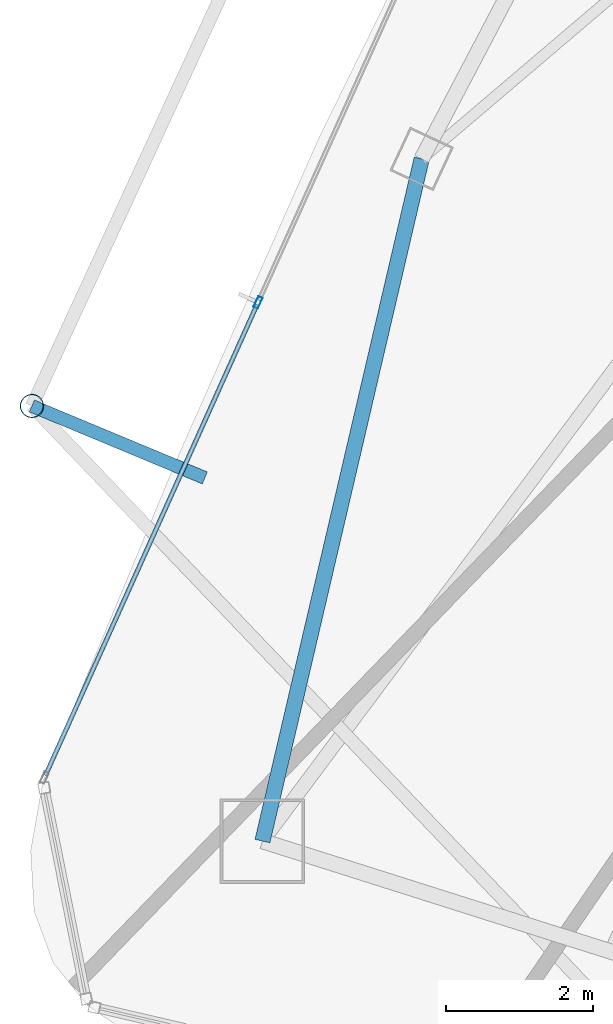
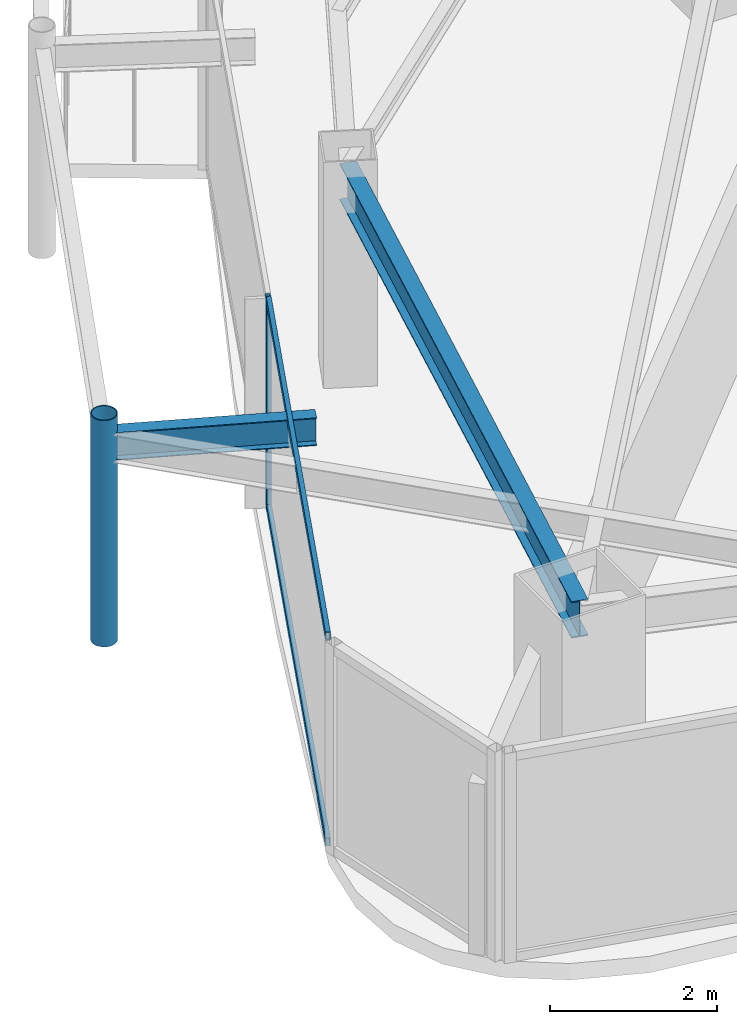
# One storey, part 5 of 28: 4 members, 2 beams, 1 element without a shape of its own.
"""IFC4 building model written with IfcOpenShell, lengths in metres."""

from ifc_helpers import new_model, si_unit, direction, frame, origin, origin_2d, place, context, subcontext, project, spatial, hollow_rectangle, hollow_circle, i_section, extrude, material, layer, layer_set, material_profile, profile_set, type_object, element, aggregate, save


model = new_model("IFC4")

# Units and contexts
model_context = context("Model", 3, precision=1e-05, world=origin(), true_north=direction((0.0, 1.0)))
body_context = subcontext(model_context, "Body", "Model", "MODEL_VIEW")
ifc_project = project(units=[si_unit("LENGTHUNIT", "METRE"), si_unit("AREAUNIT", "SQUARE_METRE"), si_unit("VOLUMEUNIT", "CUBIC_METRE"), si_unit("PLANEANGLEUNIT", "RADIAN"), si_unit("MASSUNIT", "GRAM", prefix="KILO")], contexts=[model_context])

# Site, building, storey
site_placement = place(None, origin())
site = spatial("IfcSite", under=ifc_project, at=site_placement, CompositionType="ELEMENT")
building_placement = place(site_placement, origin())
building = spatial("IfcBuilding", under=site, at=building_placement, Name="Orvanel Arch Residences", CompositionType="ELEMENT")
storey_placement = place(building_placement, frame((0.0, 0.0, 260.14990234375)))
storey = spatial("IfcBuildingStorey", under=building, at=storey_placement, Name="L74", CompositionType="ELEMENT", Elevation=260.14990234375)

# Curtain wall, member
ifc_material_1 = material(Name="Bronze-anodised aluminium AA6063-T6", Category="aluminium")
ifc_layer = layer(ifc_material_1, 0.175048828125)
ifc_layer_set = layer_set([ifc_layer], Name="Bronze-anodised aluminium AA6063-T6")
curtain_wall_type = type_object("IfcCurtainWallType", Name="CW4-HI-SYS", PredefinedType="NOTDEFINED", material=ifc_layer_set)
curtain_wall_placement = place(storey_placement, origin())
curtain_wall = element("IfcCurtainWall", 1, at=curtain_wall_placement, inside=storey, type_object=curtain_wall_type, Name="L74 CW4-HI-SYS Unitised Curtain Wall", PredefinedType="NOTDEFINED")
ifc_material_profile_1 = material_profile(ifc_material_1, hollow_rectangle(XDim=0.06494140625, YDim=0.159912109375, WallThickness=0.00390625, at=origin_2d()), Name="ALU160x65x4")
ifc_profile_set_1 = profile_set([ifc_material_profile_1], Name="Bronze-anodised aluminium AA6063-T6")
member_type_1 = type_object("IfcMemberType", Name="MUL-160x65", PredefinedType="MULLION", material=ifc_profile_set_1)
member_1_placement = place(storey_placement, frame((14.138916015625, 17.68701171875, 0.0), z_axis=(0.0, 0.0, 1.0), x_axis=(0.912050087349, -0.410078819456, 0.0)))
member_1 = element("IfcMember", 2, at=member_1_placement, type_object=member_type_1, Name="CW-S4 mullion 2", PredefinedType="MULLION", context=body_context, shape_type="SweptSolid", body=[
    extrude(hollow_rectangle(XDim=0.06494140625, YDim=0.159912109375, WallThickness=0.00390625, at=origin_2d()), origin(), (0.0, 0.0, 1.0), 3.06005859375),
])

# Beams
ifc_material_2 = material(Name="Structural steel AS/NZS 3679.1 Grade 300 (300 MPa)", Category="steel")
ifc_material_profile_2 = material_profile(ifc_material_2, i_section(OverallWidth=0.177978515625, OverallDepth=0.406005859375, WebThickness=0.0078125, FlangeThickness=0.0126953125, at=origin_2d()), Name="410UB59.7")
ifc_profile_set_2 = profile_set([ifc_material_profile_2], Name="Structural steel AS/NZS 3679.1 Grade 300 (300 MPa)")
beam_type_1 = type_object("IfcBeamType", Name="OB-410UB-EXT", PredefinedType="SPANDREL", material=ifc_profile_set_2)
beam_1_placement = place(storey_placement, frame((13.4140625, 15.297119140625, 2.857177734375), z_axis=(-0.923252396042, 0.384193978614, 0.0), x_axis=(-0.384193978614, -0.923252396042, 0.0)))
element("IfcBeam", 3, at=beam_1_placement, inside=storey, type_object=beam_type_1, Name="L74 Outer Frame Radial Tie Beam 04", PredefinedType="SPANDREL", context=body_context, shape_type="SweptSolid", body=[
    extrude(i_section(OverallWidth=0.177978515625, OverallDepth=0.406005859375, WebThickness=0.0078125, FlangeThickness=0.0126953125, at=origin_2d()), origin(), (0.0, 0.0, 1.0), 2.55078125),
])
ifc_material_profile_3 = material_profile(ifc_material_2, i_section(OverallWidth=0.208984375, OverallDepth=0.532958984375, WebThickness=0.01025390625, FlangeThickness=0.015625, at=origin_2d()), Name="530UB92.4")
ifc_profile_set_3 = profile_set([ifc_material_profile_3], Name="Structural steel AS/NZS 3679.1 Grade 300 (300 MPa)")
beam_type_2 = type_object("IfcBeamType", Name="SP-530UB", PredefinedType="SPANDREL", material=ifc_profile_set_3)
beam_2_placement = place(storey_placement, frame((16.366943359375, 19.64208984375, 2.793212890625), z_axis=(-0.227236087167, -0.973839699688, 0.0), x_axis=(0.973839699688, -0.227236087167, 0.0)))
element("IfcBeam", 4, at=beam_2_placement, inside=storey, type_object=beam_type_2, Name="L74 Perimeter Spandrel Beam 01", PredefinedType="SPANDREL", context=body_context, shape_type="SweptSolid", body=[
    extrude(i_section(OverallWidth=0.208984375, OverallDepth=0.532958984375, WebThickness=0.01025390625, FlangeThickness=0.015625, at=origin_2d()), origin(), (0.0, 0.0, 1.0), 9.54052734375),
])

# Member
ifc_material_3 = material(Name="Structural steel AS/NZS 1163 C350L0 (Grade 350)", Category="steel")
ifc_material_profile_4 = material_profile(ifc_material_3, hollow_circle(Radius=0.162109375, WallThickness=0.0126953125, at=origin_2d()), Name="CHS324x12.7")
ifc_profile_set_4 = profile_set([ifc_material_profile_4], Name="Structural steel AS/NZS 1163 C350L0 (Grade 350)")
member_type_2 = type_object("IfcMemberType", Name="ST-324CHS-EXT", PredefinedType="STRUT", material=ifc_profile_set_4)
member_2_placement = place(storey_placement, frame((11.05908203125, 16.277099609375, 0.0), z_axis=(0.0, 0.0, 1.0), x_axis=(1.0, 0.0, 0.0)))
element("IfcMember", 5, at=member_2_placement, inside=storey, type_object=member_type_2, Name="L74 Outer Perimeter Frame Post 04", PredefinedType="STRUT", context=body_context, shape_type="SweptSolid", body=[
    extrude(hollow_circle(Radius=0.162109375, WallThickness=0.0126953125, at=origin_2d()), origin(), (0.0, 0.0, 1.0), 3.300048828125),
])

ifc_material_profile_5 = material_profile(ifc_material_1, hollow_rectangle(XDim=0.06005859375, YDim=0.1201171875, WallThickness=0.00341796875, at=origin_2d()), Name="ALU120x60x3.5")
ifc_profile_set_5 = profile_set([ifc_material_profile_5], Name="Bronze-anodised aluminium AA6063-T6")
member_type_3 = type_object("IfcMemberType", Name="TRN-120x60", PredefinedType="USERDEFINED", material=ifc_profile_set_5)
member_3_placement = place(storey_placement, frame((14.125732421875, 17.657470703125, 0.030029296875), z_axis=(-0.410081649898, -0.912048814712, 0.0), x_axis=(0.912048814712, -0.410081649898, 0.0)))
member_3 = element("IfcMember", 6, at=member_3_placement, type_object=member_type_3, Name="CW-S4 transom 2.1", ObjectType="TRANSOM", PredefinedType="USERDEFINED", context=body_context, shape_type="SweptSolid", body=[
    extrude(hollow_rectangle(XDim=0.06005859375, YDim=0.1201171875, WallThickness=0.00341796875, at=origin_2d()), origin(), (0.0, 0.0, 1.0), 7.030517578125),
])

member_4_placement = place(storey_placement, frame((14.125732421875, 17.657470703125, 3.030029296875), z_axis=(-0.410081649898, -0.912048814712, 0.0), x_axis=(0.912048814712, -0.410081649898, 0.0)))
member_4 = element("IfcMember", 7, at=member_4_placement, type_object=member_type_3, Name="CW-S4 transom 2.2", ObjectType="TRANSOM", PredefinedType="USERDEFINED", context=body_context, shape_type="SweptSolid", body=[
    extrude(hollow_rectangle(XDim=0.06005859375, YDim=0.1201171875, WallThickness=0.00341796875, at=origin_2d()), origin(), (0.0, 0.0, 1.0), 7.030517578125),
])

aggregate(curtain_wall, [member_1, member_3, member_4])

save(model, "model.ifc")
